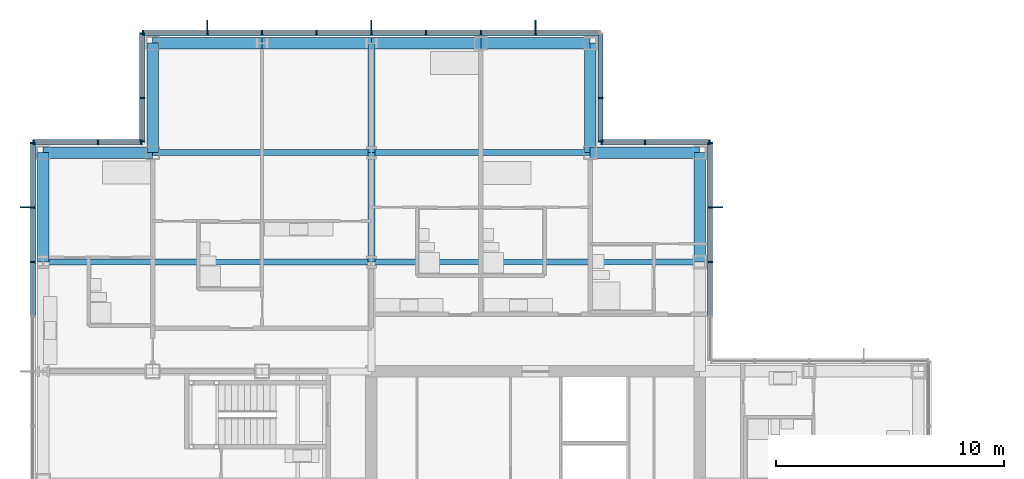
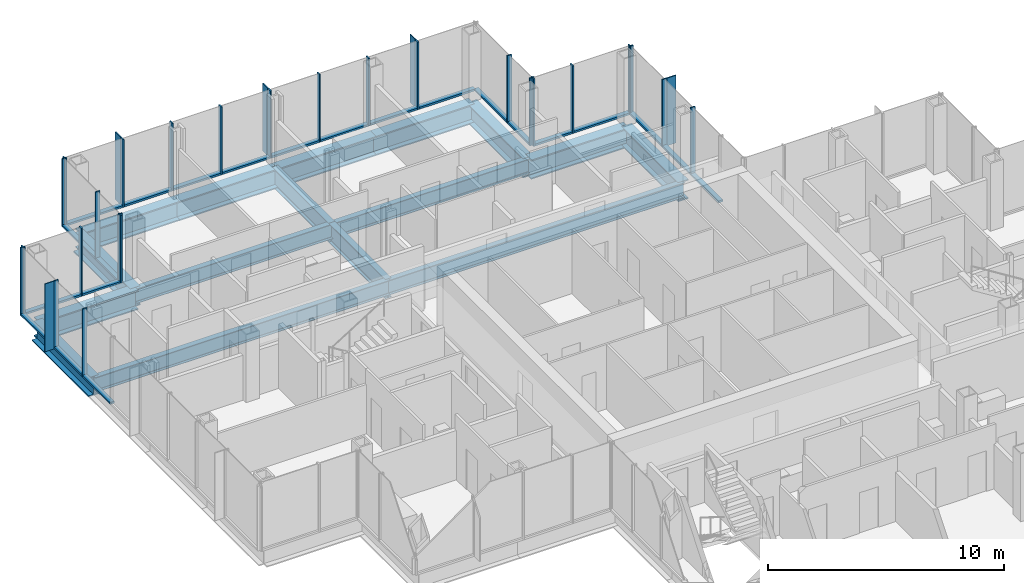
# One storey, part 10 of 20: 52 members, 16 beams, 7 elements without a shape of their own.
"""IFC4 building model written with IfcOpenShell, lengths in metres."""

from ifc_helpers import new_model, si_unit, direction, frame, origin, origin_2d, place, context, subcontext, project, spatial, rectangle, i_section, extrude, material, material_profile, profile_set, type_object, element, aggregate, save


model = new_model("IFC4")

# Units and contexts
model_context = context("Model", 3, precision=1e-05, world=origin(), true_north=direction((0.0, 1.0)))
body_context = subcontext(model_context, "Body", "Model", "MODEL_VIEW")
ifc_project = project(units=[si_unit("LENGTHUNIT", "METRE"), si_unit("AREAUNIT", "SQUARE_METRE"), si_unit("VOLUMEUNIT", "CUBIC_METRE"), si_unit("PLANEANGLEUNIT", "RADIAN"), si_unit("MASSUNIT", "GRAM", prefix="KILO")], contexts=[model_context])

# Site, building, storey
site_placement = place(None, origin())
site = spatial("IfcSite", under=ifc_project, at=site_placement, CompositionType="ELEMENT")
building_placement = place(site_placement, origin())
building = spatial("IfcBuilding", under=site, at=building_placement, Name="Kvirike Care Tower", CompositionType="ELEMENT")
storey_placement = place(building_placement, frame((0.0, 0.0, 101.5)))
storey = spatial("IfcBuildingStorey", under=building, at=storey_placement, Name="L27", CompositionType="ELEMENT", Elevation=101.5)

# Curtain wall, member
ifc_material_1 = material(Name="Anodised aluminium stick system", Category="aluminium")
curtain_wall_type = type_object("IfcCurtainWallType", Name="CW-B STICK CURTAIN WALL", PredefinedType="NOTDEFINED", material=ifc_material_1)
curtain_wall_1_placement = place(storey_placement, origin())
curtain_wall_1 = element("IfcCurtainWall", 1, at=curtain_wall_1_placement, inside=storey, type_object=curtain_wall_type, Name="Curtain wall L27 face 5", PredefinedType="NOTDEFINED")
ifc_material_2 = material(Name="Bronze anodised aluminium fin", Category="aluminium")
ifc_material_profile_1 = material_profile(ifc_material_2, rectangle(XDim=0.050048828125, YDim=0.449951171875, at=origin_2d()), Name="BRONZE FIN 450")
ifc_profile_set_1 = profile_set([ifc_material_profile_1], Name="Bronze anodised aluminium fin")
member_type_1 = type_object("IfcMemberType", Name="BRONZE FIN 450", PredefinedType="USERDEFINED", material=ifc_profile_set_1)
member_1_placement = place(storey_placement, frame((29.594970703125, 50.39990234375, 0.0), z_axis=(0.0, 0.0, 1.0), x_axis=(0.0, 1.0, 0.0)))
member_1 = element("IfcMember", 2, at=member_1_placement, type_object=member_type_1, Name="Bronze fin L27 face 5.4", ObjectType="FIN", PredefinedType="USERDEFINED", context=body_context, shape_type="SweptSolid", body=[
    extrude(rectangle(XDim=0.050048828125, YDim=0.449951171875, at=origin_2d()), origin(), (0.0, 0.0, 1.0), 3.5),
])

# Curtain wall, members
curtain_wall_2_placement = place(storey_placement, origin())
curtain_wall_2 = element("IfcCurtainWall", 3, at=curtain_wall_2_placement, inside=storey, type_object=curtain_wall_type, Name="Curtain wall L27 face 8", PredefinedType="NOTDEFINED")
member_2_placement = place(storey_placement, frame((21.60009765625, 58.39501953125, 0.0), z_axis=(0.0, 0.0, 1.0), x_axis=(-1.0, 0.0, 0.0)))
member_2 = element("IfcMember", 4, at=member_2_placement, type_object=member_type_1, Name="Bronze fin L27 face 8.2", ObjectType="FIN", PredefinedType="USERDEFINED", context=body_context, shape_type="SweptSolid", body=[
    extrude(rectangle(XDim=0.050048828125, YDim=0.449951171875, at=origin_2d()), origin(), (0.0, 0.0, 1.0), 3.5),
])
member_3_placement = place(storey_placement, frame((14.39990234375, 58.39501953125, 0.0), z_axis=(0.0, 0.0, 1.0), x_axis=(-1.0, 0.0, 0.0)))
member_3 = element("IfcMember", 5, at=member_3_placement, type_object=member_type_1, Name="Bronze fin L27 face 8.5", ObjectType="FIN", PredefinedType="USERDEFINED", context=body_context, shape_type="SweptSolid", body=[
    extrude(rectangle(XDim=0.050048828125, YDim=0.449951171875, at=origin_2d()), origin(), (0.0, 0.0, 1.0), 3.5),
])
member_4_placement = place(storey_placement, frame((7.199951171875, 58.39501953125, 0.0), z_axis=(0.0, 0.0, 1.0), x_axis=(-1.0, 0.0, 0.0)))
member_4 = element("IfcMember", 6, at=member_4_placement, type_object=member_type_1, Name="Bronze fin L27 face 8.8", ObjectType="FIN", PredefinedType="USERDEFINED", context=body_context, shape_type="SweptSolid", body=[
    extrude(rectangle(XDim=0.050048828125, YDim=0.449951171875, at=origin_2d()), origin(), (0.0, 0.0, 1.0), 3.5),
])

# Curtain wall, member
curtain_wall_3_placement = place(storey_placement, origin())
curtain_wall_3 = element("IfcCurtainWall", 7, at=curtain_wall_3_placement, inside=storey, type_object=curtain_wall_type, Name="Curtain wall L27 face 11", PredefinedType="NOTDEFINED")
member_5_placement = place(storey_placement, frame((-0.794921875, 50.39990234375, 0.0), z_axis=(0.0, 0.0, 1.0), x_axis=(0.0, -1.0, 0.0)))
member_5 = element("IfcMember", 8, at=member_5_placement, type_object=member_type_1, Name="Bronze fin L27 face 11.2", ObjectType="FIN", PredefinedType="USERDEFINED", context=body_context, shape_type="SweptSolid", body=[
    extrude(rectangle(XDim=0.050048828125, YDim=0.449951171875, at=origin_2d()), origin(), (0.0, 0.0, 1.0), 3.5),
])

# Member
ifc_material_3 = material(Name="Bronze anodised aluminium mullion", Category="aluminium")
ifc_material_profile_2 = material_profile(ifc_material_3, rectangle(XDim=0.06494140625, YDim=0.219970703125, at=origin_2d()), Name="CW-B MULLION 65x220")
ifc_profile_set_2 = profile_set([ifc_material_profile_2], Name="Bronze anodised aluminium mullion")
member_type_2 = type_object("IfcMemberType", Name="CW-B MULLION 65x220", PredefinedType="MULLION", material=ifc_profile_set_2)
member_6_placement = place(storey_placement, frame((29.260009765625, 48.0, 0.0), z_axis=(0.0, 0.0, 1.0), x_axis=(0.0, 1.0, 0.0)))
member_6 = element("IfcMember", 9, at=member_6_placement, type_object=member_type_2, Name="CW-B mullion L27 face 5.3", PredefinedType="MULLION", context=body_context, shape_type="SweptSolid", body=[
    extrude(rectangle(XDim=0.06494140625, YDim=0.219970703125, at=origin_2d()), origin(), (0.0, 0.0, 1.0), 3.5),
])

member_7_placement = place(storey_placement, frame((29.260009765625, 50.39990234375, 0.0), z_axis=(0.0, 0.0, 1.0), x_axis=(0.0, 1.0, 0.0)))
member_7 = element("IfcMember", 10, at=member_7_placement, type_object=member_type_2, Name="CW-B mullion L27 face 5.4", PredefinedType="MULLION", context=body_context, shape_type="SweptSolid", body=[
    extrude(rectangle(XDim=0.06494140625, YDim=0.219970703125, at=origin_2d()), origin(), (0.0, 0.0, 1.0), 3.5),
])

member_8_placement = place(storey_placement, frame((29.260009765625, 53.2275390625, 0.0), z_axis=(0.0, 0.0, 1.0), x_axis=(0.0, 1.0, 0.0)))
member_8 = element("IfcMember", 11, at=member_8_placement, type_object=member_type_2, Name="CW-B mullion L27 face 5.5", PredefinedType="MULLION", context=body_context, shape_type="SweptSolid", body=[
    extrude(rectangle(XDim=0.06494140625, YDim=0.219970703125, at=origin_2d()), origin(), (0.0, 0.0, 1.0), 3.5),
])

# Curtain wall, members
curtain_wall_4_placement = place(storey_placement, origin())
curtain_wall_4 = element("IfcCurtainWall", 12, at=curtain_wall_4_placement, inside=storey, type_object=curtain_wall_type, Name="Curtain wall L27 face 6", PredefinedType="NOTDEFINED")
member_9_placement = place(storey_placement, frame((29.2275390625, 53.260009765625, 0.0), z_axis=(0.0, 0.0, 1.0), x_axis=(-1.0, 0.0, 0.0)))
member_9 = element("IfcMember", 13, at=member_9_placement, type_object=member_type_2, Name="CW-B mullion L27 face 6.1", PredefinedType="MULLION", context=body_context, shape_type="SweptSolid", body=[
    extrude(rectangle(XDim=0.06494140625, YDim=0.219970703125, at=origin_2d()), origin(), (0.0, 0.0, 1.0), 3.5),
])
member_10_placement = place(storey_placement, frame((26.39990234375, 53.260009765625, 0.0), z_axis=(0.0, 0.0, 1.0), x_axis=(-1.0, 0.0, 0.0)))
member_10 = element("IfcMember", 14, at=member_10_placement, type_object=member_type_2, Name="CW-B mullion L27 face 6.2", PredefinedType="MULLION", context=body_context, shape_type="SweptSolid", body=[
    extrude(rectangle(XDim=0.06494140625, YDim=0.219970703125, at=origin_2d()), origin(), (0.0, 0.0, 1.0), 3.5),
])
member_11_placement = place(storey_placement, frame((24.492431640625, 53.260009765625, 0.0), z_axis=(0.0, 0.0, 1.0), x_axis=(-1.0, 0.0, 0.0)))
member_11 = element("IfcMember", 15, at=member_11_placement, type_object=member_type_2, Name="CW-B mullion L27 face 6.3", PredefinedType="MULLION", context=body_context, shape_type="SweptSolid", body=[
    extrude(rectangle(XDim=0.06494140625, YDim=0.219970703125, at=origin_2d()), origin(), (0.0, 0.0, 1.0), 3.5),
])

curtain_wall_5_placement = place(storey_placement, origin())
curtain_wall_5 = element("IfcCurtainWall", 16, at=curtain_wall_5_placement, inside=storey, type_object=curtain_wall_type, Name="Curtain wall L27 face 7", PredefinedType="NOTDEFINED")
member_12_placement = place(storey_placement, frame((24.4599609375, 53.29248046875, 0.0), z_axis=(0.0, 0.0, 1.0), x_axis=(0.0, 1.0, 0.0)))
member_12 = element("IfcMember", 17, at=member_12_placement, type_object=member_type_2, Name="CW-B mullion L27 face 7.1", PredefinedType="MULLION", context=body_context, shape_type="SweptSolid", body=[
    extrude(rectangle(XDim=0.06494140625, YDim=0.219970703125, at=origin_2d()), origin(), (0.0, 0.0, 1.0), 3.5),
])
member_13_placement = place(storey_placement, frame((24.4599609375, 55.199951171875, 0.0), z_axis=(0.0, 0.0, 1.0), x_axis=(0.0, 1.0, 0.0)))
member_13 = element("IfcMember", 18, at=member_13_placement, type_object=member_type_2, Name="CW-B mullion L27 face 7.2", PredefinedType="MULLION", context=body_context, shape_type="SweptSolid", body=[
    extrude(rectangle(XDim=0.06494140625, YDim=0.219970703125, at=origin_2d()), origin(), (0.0, 0.0, 1.0), 3.5),
])

# Member
member_14_placement = place(storey_placement, frame((21.60009765625, 58.06005859375, 0.0), z_axis=(0.0, 0.0, 1.0), x_axis=(-1.0, 0.0, 0.0)))
member_14 = element("IfcMember", 19, at=member_14_placement, type_object=member_type_2, Name="CW-B mullion L27 face 8.2", PredefinedType="MULLION", context=body_context, shape_type="SweptSolid", body=[
    extrude(rectangle(XDim=0.06494140625, YDim=0.219970703125, at=origin_2d()), origin(), (0.0, 0.0, 1.0), 3.5),
])

member_15_placement = place(storey_placement, frame((19.199951171875, 58.06005859375, 0.0), z_axis=(0.0, 0.0, 1.0), x_axis=(-1.0, 0.0, 0.0)))
member_15 = element("IfcMember", 20, at=member_15_placement, type_object=member_type_2, Name="CW-B mullion L27 face 8.3", PredefinedType="MULLION", context=body_context, shape_type="SweptSolid", body=[
    extrude(rectangle(XDim=0.06494140625, YDim=0.219970703125, at=origin_2d()), origin(), (0.0, 0.0, 1.0), 3.5),
])

member_16_placement = place(storey_placement, frame((16.800048828125, 58.06005859375, 0.0), z_axis=(0.0, 0.0, 1.0), x_axis=(-1.0, 0.0, 0.0)))
member_16 = element("IfcMember", 21, at=member_16_placement, type_object=member_type_2, Name="CW-B mullion L27 face 8.4", PredefinedType="MULLION", context=body_context, shape_type="SweptSolid", body=[
    extrude(rectangle(XDim=0.06494140625, YDim=0.219970703125, at=origin_2d()), origin(), (0.0, 0.0, 1.0), 3.5),
])

member_17_placement = place(storey_placement, frame((14.39990234375, 58.06005859375, 0.0), z_axis=(0.0, 0.0, 1.0), x_axis=(-1.0, 0.0, 0.0)))
member_17 = element("IfcMember", 22, at=member_17_placement, type_object=member_type_2, Name="CW-B mullion L27 face 8.5", PredefinedType="MULLION", context=body_context, shape_type="SweptSolid", body=[
    extrude(rectangle(XDim=0.06494140625, YDim=0.219970703125, at=origin_2d()), origin(), (0.0, 0.0, 1.0), 3.5),
])

member_18_placement = place(storey_placement, frame((12.0, 58.06005859375, 0.0), z_axis=(0.0, 0.0, 1.0), x_axis=(-1.0, 0.0, 0.0)))
member_18 = element("IfcMember", 23, at=member_18_placement, type_object=member_type_2, Name="CW-B mullion L27 face 8.6", PredefinedType="MULLION", context=body_context, shape_type="SweptSolid", body=[
    extrude(rectangle(XDim=0.06494140625, YDim=0.219970703125, at=origin_2d()), origin(), (0.0, 0.0, 1.0), 3.5),
])

member_19_placement = place(storey_placement, frame((9.60009765625, 58.06005859375, 0.0), z_axis=(0.0, 0.0, 1.0), x_axis=(-1.0, 0.0, 0.0)))
member_19 = element("IfcMember", 24, at=member_19_placement, type_object=member_type_2, Name="CW-B mullion L27 face 8.7", PredefinedType="MULLION", context=body_context, shape_type="SweptSolid", body=[
    extrude(rectangle(XDim=0.06494140625, YDim=0.219970703125, at=origin_2d()), origin(), (0.0, 0.0, 1.0), 3.5),
])

member_20_placement = place(storey_placement, frame((7.199951171875, 58.06005859375, 0.0), z_axis=(0.0, 0.0, 1.0), x_axis=(-1.0, 0.0, 0.0)))
member_20 = element("IfcMember", 25, at=member_20_placement, type_object=member_type_2, Name="CW-B mullion L27 face 8.8", PredefinedType="MULLION", context=body_context, shape_type="SweptSolid", body=[
    extrude(rectangle(XDim=0.06494140625, YDim=0.219970703125, at=origin_2d()), origin(), (0.0, 0.0, 1.0), 3.5),
])

member_21_placement = place(storey_placement, frame((4.37255859375, 58.06005859375, 0.0), z_axis=(0.0, 0.0, 1.0), x_axis=(-1.0, 0.0, 0.0)))
member_21 = element("IfcMember", 26, at=member_21_placement, type_object=member_type_2, Name="CW-B mullion L27 face 8.9", PredefinedType="MULLION", context=body_context, shape_type="SweptSolid", body=[
    extrude(rectangle(XDim=0.06494140625, YDim=0.219970703125, at=origin_2d()), origin(), (0.0, 0.0, 1.0), 3.5),
])

# Curtain wall, members
curtain_wall_6_placement = place(storey_placement, origin())
curtain_wall_6 = element("IfcCurtainWall", 27, at=curtain_wall_6_placement, inside=storey, type_object=curtain_wall_type, Name="Curtain wall L27 face 9", PredefinedType="NOTDEFINED")
member_22_placement = place(storey_placement, frame((4.340087890625, 58.027587890625, 0.0), z_axis=(0.0, 0.0, 1.0), x_axis=(0.0, -1.0, 0.0)))
member_22 = element("IfcMember", 28, at=member_22_placement, type_object=member_type_2, Name="CW-B mullion L27 face 9.1", PredefinedType="MULLION", context=body_context, shape_type="SweptSolid", body=[
    extrude(rectangle(XDim=0.06494140625, YDim=0.219970703125, at=origin_2d()), origin(), (0.0, 0.0, 1.0), 3.5),
])
member_23_placement = place(storey_placement, frame((4.340087890625, 55.199951171875, 0.0), z_axis=(0.0, 0.0, 1.0), x_axis=(0.0, -1.0, 0.0)))
member_23 = element("IfcMember", 29, at=member_23_placement, type_object=member_type_2, Name="CW-B mullion L27 face 9.2", PredefinedType="MULLION", context=body_context, shape_type="SweptSolid", body=[
    extrude(rectangle(XDim=0.06494140625, YDim=0.219970703125, at=origin_2d()), origin(), (0.0, 0.0, 1.0), 3.5),
])
member_24_placement = place(storey_placement, frame((4.340087890625, 53.29248046875, 0.0), z_axis=(0.0, 0.0, 1.0), x_axis=(0.0, -1.0, 0.0)))
member_24 = element("IfcMember", 30, at=member_24_placement, type_object=member_type_2, Name="CW-B mullion L27 face 9.3", PredefinedType="MULLION", context=body_context, shape_type="SweptSolid", body=[
    extrude(rectangle(XDim=0.06494140625, YDim=0.219970703125, at=origin_2d()), origin(), (0.0, 0.0, 1.0), 3.5),
])

curtain_wall_7_placement = place(storey_placement, origin())
curtain_wall_7 = element("IfcCurtainWall", 31, at=curtain_wall_7_placement, inside=storey, type_object=curtain_wall_type, Name="Curtain wall L27 face 10", PredefinedType="NOTDEFINED")
member_25_placement = place(storey_placement, frame((4.3076171875, 53.260009765625, 0.0), z_axis=(0.0, 0.0, 1.0), x_axis=(-1.0, 0.0, 0.0)))
member_25 = element("IfcMember", 32, at=member_25_placement, type_object=member_type_2, Name="CW-B mullion L27 face 10.1", PredefinedType="MULLION", context=body_context, shape_type="SweptSolid", body=[
    extrude(rectangle(XDim=0.06494140625, YDim=0.219970703125, at=origin_2d()), origin(), (0.0, 0.0, 1.0), 3.5),
])
member_26_placement = place(storey_placement, frame((2.39990234375, 53.260009765625, 0.0), z_axis=(0.0, 0.0, 1.0), x_axis=(-1.0, 0.0, 0.0)))
member_26 = element("IfcMember", 33, at=member_26_placement, type_object=member_type_2, Name="CW-B mullion L27 face 10.2", PredefinedType="MULLION", context=body_context, shape_type="SweptSolid", body=[
    extrude(rectangle(XDim=0.06494140625, YDim=0.219970703125, at=origin_2d()), origin(), (0.0, 0.0, 1.0), 3.5),
])
member_27_placement = place(storey_placement, frame((-0.427490234375, 53.260009765625, 0.0), z_axis=(0.0, 0.0, 1.0), x_axis=(-1.0, 0.0, 0.0)))
member_27 = element("IfcMember", 34, at=member_27_placement, type_object=member_type_2, Name="CW-B mullion L27 face 10.3", PredefinedType="MULLION", context=body_context, shape_type="SweptSolid", body=[
    extrude(rectangle(XDim=0.06494140625, YDim=0.219970703125, at=origin_2d()), origin(), (0.0, 0.0, 1.0), 3.5),
])

# Member
member_28_placement = place(storey_placement, frame((-0.4599609375, 53.2275390625, 0.0), z_axis=(0.0, 0.0, 1.0), x_axis=(0.0, -1.0, 0.0)))
member_28 = element("IfcMember", 35, at=member_28_placement, type_object=member_type_2, Name="CW-B mullion L27 face 11.1", PredefinedType="MULLION", context=body_context, shape_type="SweptSolid", body=[
    extrude(rectangle(XDim=0.06494140625, YDim=0.219970703125, at=origin_2d()), origin(), (0.0, 0.0, 1.0), 3.5),
])

member_29_placement = place(storey_placement, frame((-0.4599609375, 50.39990234375, 0.0), z_axis=(0.0, 0.0, 1.0), x_axis=(0.0, -1.0, 0.0)))
member_29 = element("IfcMember", 36, at=member_29_placement, type_object=member_type_2, Name="CW-B mullion L27 face 11.2", PredefinedType="MULLION", context=body_context, shape_type="SweptSolid", body=[
    extrude(rectangle(XDim=0.06494140625, YDim=0.219970703125, at=origin_2d()), origin(), (0.0, 0.0, 1.0), 3.5),
])

member_30_placement = place(storey_placement, frame((-0.4599609375, 48.0, 0.0), z_axis=(0.0, 0.0, 1.0), x_axis=(0.0, -1.0, 0.0)))
member_30 = element("IfcMember", 37, at=member_30_placement, type_object=member_type_2, Name="CW-B mullion L27 face 11.3", PredefinedType="MULLION", context=body_context, shape_type="SweptSolid", body=[
    extrude(rectangle(XDim=0.06494140625, YDim=0.219970703125, at=origin_2d()), origin(), (0.0, 0.0, 1.0), 3.5),
])

ifc_material_4 = material(Name="Bronze anodised aluminium transom", Category="aluminium")
ifc_material_profile_3 = material_profile(ifc_material_4, rectangle(XDim=0.219970703125, YDim=0.10009765625, at=origin_2d()), Name="CW-B TRANSOM 220x100")
ifc_profile_set_3 = profile_set([ifc_material_profile_3], Name="Bronze anodised aluminium transom")
member_type_3 = type_object("IfcMemberType", Name="CW-B TRANSOM 220x100", PredefinedType="USERDEFINED", material=ifc_profile_set_3)
member_31_placement = place(storey_placement, frame((29.260009765625, 45.632568359375, 0.050048828125), z_axis=(0.0, 1.0, 0.0), x_axis=(-1.0, 0.0, 0.0)))
member_31 = element("IfcMember", 38, at=member_31_placement, type_object=member_type_3, Name="CW-B sill transom L27 face 5.2", ObjectType="TRANSOM", PredefinedType="USERDEFINED", context=body_context, shape_type="SweptSolid", body=[
    extrude(rectangle(XDim=0.219970703125, YDim=0.10009765625, at=origin_2d()), origin(), (0.0, 0.0, 1.0), 2.3349609375),
])

member_32_placement = place(storey_placement, frame((29.260009765625, 48.032470703125, 0.050048828125), z_axis=(0.0, 1.0, 0.0), x_axis=(-1.0, 0.0, 0.0)))
member_32 = element("IfcMember", 39, at=member_32_placement, type_object=member_type_3, Name="CW-B sill transom L27 face 5.3", ObjectType="TRANSOM", PredefinedType="USERDEFINED", context=body_context, shape_type="SweptSolid", body=[
    extrude(rectangle(XDim=0.219970703125, YDim=0.10009765625, at=origin_2d()), origin(), (0.0, 0.0, 1.0), 2.3349609375),
])

member_33_placement = place(storey_placement, frame((29.260009765625, 50.4326171875, 0.050048828125), z_axis=(0.0, 1.0, 0.0), x_axis=(-1.0, 0.0, 0.0)))
member_33 = element("IfcMember", 40, at=member_33_placement, type_object=member_type_3, Name="CW-B sill transom L27 face 5.4", ObjectType="TRANSOM", PredefinedType="USERDEFINED", context=body_context, shape_type="SweptSolid", body=[
    extrude(rectangle(XDim=0.219970703125, YDim=0.10009765625, at=origin_2d()), origin(), (0.0, 0.0, 1.0), 2.762451171875),
])

aggregate(curtain_wall_1, [member_6, member_7, member_1, member_8, member_31, member_32, member_33])

member_34_placement = place(storey_placement, frame((29.195068359375, 53.260009765625, 0.050048828125), z_axis=(-1.0, 0.0, 0.0), x_axis=(0.0, -1.0, 0.0)))
member_34 = element("IfcMember", 41, at=member_34_placement, type_object=member_type_3, Name="CW-B sill transom L27 face 6.1", ObjectType="TRANSOM", PredefinedType="USERDEFINED", context=body_context, shape_type="SweptSolid", body=[
    extrude(rectangle(XDim=0.219970703125, YDim=0.10009765625, at=origin_2d()), origin(), (0.0, 0.0, 1.0), 2.762451171875),
])

member_35_placement = place(storey_placement, frame((26.367431640625, 53.260009765625, 0.050048828125), z_axis=(-1.0, 0.0, 0.0), x_axis=(0.0, -1.0, 0.0)))
member_35 = element("IfcMember", 42, at=member_35_placement, type_object=member_type_3, Name="CW-B sill transom L27 face 6.2", ObjectType="TRANSOM", PredefinedType="USERDEFINED", context=body_context, shape_type="SweptSolid", body=[
    extrude(rectangle(XDim=0.219970703125, YDim=0.10009765625, at=origin_2d()), origin(), (0.0, 0.0, 1.0), 1.842529296875),
])

aggregate(curtain_wall_4, [member_9, member_10, member_11, member_34, member_35])

member_36_placement = place(storey_placement, frame((24.4599609375, 53.324951171875, 0.050048828125), z_axis=(0.0, 1.0, 0.0), x_axis=(-1.0, 0.0, 0.0)))
member_36 = element("IfcMember", 43, at=member_36_placement, type_object=member_type_3, Name="CW-B sill transom L27 face 7.1", ObjectType="TRANSOM", PredefinedType="USERDEFINED", context=body_context, shape_type="SweptSolid", body=[
    extrude(rectangle(XDim=0.219970703125, YDim=0.10009765625, at=origin_2d()), origin(), (0.0, 0.0, 1.0), 1.842529296875),
])

member_37_placement = place(storey_placement, frame((24.4599609375, 55.232421875, 0.050048828125), z_axis=(0.0, 1.0, 0.0), x_axis=(-1.0, 0.0, 0.0)))
member_37 = element("IfcMember", 44, at=member_37_placement, type_object=member_type_3, Name="CW-B sill transom L27 face 7.2", ObjectType="TRANSOM", PredefinedType="USERDEFINED", context=body_context, shape_type="SweptSolid", body=[
    extrude(rectangle(XDim=0.219970703125, YDim=0.10009765625, at=origin_2d()), origin(), (0.0, 0.0, 1.0), 2.7626953125),
])

aggregate(curtain_wall_5, [member_12, member_13, member_36, member_37])

member_38_placement = place(storey_placement, frame((24.39501953125, 58.06005859375, 0.050048828125), z_axis=(-1.0, 0.0, 0.0), x_axis=(0.0, -1.0, 0.0)))
member_38 = element("IfcMember", 45, at=member_38_placement, type_object=member_type_3, Name="CW-B sill transom L27 face 8.1", ObjectType="TRANSOM", PredefinedType="USERDEFINED", context=body_context, shape_type="SweptSolid", body=[
    extrude(rectangle(XDim=0.219970703125, YDim=0.10009765625, at=origin_2d()), origin(), (0.0, 0.0, 1.0), 2.762451171875),
])

member_39_placement = place(storey_placement, frame((21.5673828125, 58.06005859375, 0.050048828125), z_axis=(-1.0, 0.0, 0.0), x_axis=(0.0, -1.0, 0.0)))
member_39 = element("IfcMember", 46, at=member_39_placement, type_object=member_type_3, Name="CW-B sill transom L27 face 8.2", ObjectType="TRANSOM", PredefinedType="USERDEFINED", context=body_context, shape_type="SweptSolid", body=[
    extrude(rectangle(XDim=0.219970703125, YDim=0.10009765625, at=origin_2d()), origin(), (0.0, 0.0, 1.0), 2.3349609375),
])

member_40_placement = place(storey_placement, frame((19.16748046875, 58.06005859375, 0.050048828125), z_axis=(-1.0, 0.0, 0.0), x_axis=(0.0, -1.0, 0.0)))
member_40 = element("IfcMember", 47, at=member_40_placement, type_object=member_type_3, Name="CW-B sill transom L27 face 8.3", ObjectType="TRANSOM", PredefinedType="USERDEFINED", context=body_context, shape_type="SweptSolid", body=[
    extrude(rectangle(XDim=0.219970703125, YDim=0.10009765625, at=origin_2d()), origin(), (0.0, 0.0, 1.0), 2.3349609375),
])

member_41_placement = place(storey_placement, frame((16.767578125, 58.06005859375, 0.050048828125), z_axis=(-1.0, 0.0, 0.0), x_axis=(0.0, -1.0, 0.0)))
member_41 = element("IfcMember", 48, at=member_41_placement, type_object=member_type_3, Name="CW-B sill transom L27 face 8.4", ObjectType="TRANSOM", PredefinedType="USERDEFINED", context=body_context, shape_type="SweptSolid", body=[
    extrude(rectangle(XDim=0.219970703125, YDim=0.10009765625, at=origin_2d()), origin(), (0.0, 0.0, 1.0), 2.3349609375),
])

member_42_placement = place(storey_placement, frame((14.367431640625, 58.06005859375, 0.050048828125), z_axis=(-1.0, 0.0, 0.0), x_axis=(0.0, -1.0, 0.0)))
member_42 = element("IfcMember", 49, at=member_42_placement, type_object=member_type_3, Name="CW-B sill transom L27 face 8.5", ObjectType="TRANSOM", PredefinedType="USERDEFINED", context=body_context, shape_type="SweptSolid", body=[
    extrude(rectangle(XDim=0.219970703125, YDim=0.10009765625, at=origin_2d()), origin(), (0.0, 0.0, 1.0), 2.3349609375),
])

member_43_placement = place(storey_placement, frame((11.967529296875, 58.06005859375, 0.050048828125), z_axis=(-1.0, 0.0, 0.0), x_axis=(0.0, -1.0, 0.0)))
member_43 = element("IfcMember", 50, at=member_43_placement, type_object=member_type_3, Name="CW-B sill transom L27 face 8.6", ObjectType="TRANSOM", PredefinedType="USERDEFINED", context=body_context, shape_type="SweptSolid", body=[
    extrude(rectangle(XDim=0.219970703125, YDim=0.10009765625, at=origin_2d()), origin(), (0.0, 0.0, 1.0), 2.3349609375),
])

member_44_placement = place(storey_placement, frame((9.5673828125, 58.06005859375, 0.050048828125), z_axis=(-1.0, 0.0, 0.0), x_axis=(0.0, -1.0, 0.0)))
member_44 = element("IfcMember", 51, at=member_44_placement, type_object=member_type_3, Name="CW-B sill transom L27 face 8.7", ObjectType="TRANSOM", PredefinedType="USERDEFINED", context=body_context, shape_type="SweptSolid", body=[
    extrude(rectangle(XDim=0.219970703125, YDim=0.10009765625, at=origin_2d()), origin(), (0.0, 0.0, 1.0), 2.3349609375),
])

member_45_placement = place(storey_placement, frame((7.16748046875, 58.06005859375, 0.050048828125), z_axis=(-1.0, 0.0, 0.0), x_axis=(0.0, -1.0, 0.0)))
member_45 = element("IfcMember", 52, at=member_45_placement, type_object=member_type_3, Name="CW-B sill transom L27 face 8.8", ObjectType="TRANSOM", PredefinedType="USERDEFINED", context=body_context, shape_type="SweptSolid", body=[
    extrude(rectangle(XDim=0.219970703125, YDim=0.10009765625, at=origin_2d()), origin(), (0.0, 0.0, 1.0), 2.762451171875),
])

aggregate(curtain_wall_2, [member_14, member_2, member_15, member_16, member_17, member_3, member_18, member_19, member_20, member_4, member_21, member_38, member_39, member_40, member_41, member_42, member_43, member_44, member_45])

member_46_placement = place(storey_placement, frame((4.340087890625, 57.9951171875, 0.050048828125), z_axis=(0.0, -1.0, 0.0), x_axis=(1.0, 0.0, 0.0)))
member_46 = element("IfcMember", 53, at=member_46_placement, type_object=member_type_3, Name="CW-B sill transom L27 face 9.1", ObjectType="TRANSOM", PredefinedType="USERDEFINED", context=body_context, shape_type="SweptSolid", body=[
    extrude(rectangle(XDim=0.219970703125, YDim=0.10009765625, at=origin_2d()), origin(), (0.0, 0.0, 1.0), 2.7626953125),
])

member_47_placement = place(storey_placement, frame((4.340087890625, 55.16748046875, 0.050048828125), z_axis=(0.0, -1.0, 0.0), x_axis=(1.0, 0.0, 0.0)))
member_47 = element("IfcMember", 54, at=member_47_placement, type_object=member_type_3, Name="CW-B sill transom L27 face 9.2", ObjectType="TRANSOM", PredefinedType="USERDEFINED", context=body_context, shape_type="SweptSolid", body=[
    extrude(rectangle(XDim=0.219970703125, YDim=0.10009765625, at=origin_2d()), origin(), (0.0, 0.0, 1.0), 1.842529296875),
])

aggregate(curtain_wall_6, [member_22, member_23, member_24, member_46, member_47])

member_48_placement = place(storey_placement, frame((4.27490234375, 53.260009765625, 0.050048828125), z_axis=(-1.0, 0.0, 0.0), x_axis=(0.0, -1.0, 0.0)))
member_48 = element("IfcMember", 55, at=member_48_placement, type_object=member_type_3, Name="CW-B sill transom L27 face 10.1", ObjectType="TRANSOM", PredefinedType="USERDEFINED", context=body_context, shape_type="SweptSolid", body=[
    extrude(rectangle(XDim=0.219970703125, YDim=0.10009765625, at=origin_2d()), origin(), (0.0, 0.0, 1.0), 1.84228515625),
])

member_49_placement = place(storey_placement, frame((2.367431640625, 53.260009765625, 0.050048828125), z_axis=(-1.0, 0.0, 0.0), x_axis=(0.0, -1.0, 0.0)))
member_49 = element("IfcMember", 56, at=member_49_placement, type_object=member_type_3, Name="CW-B sill transom L27 face 10.2", ObjectType="TRANSOM", PredefinedType="USERDEFINED", context=body_context, shape_type="SweptSolid", body=[
    extrude(rectangle(XDim=0.219970703125, YDim=0.10009765625, at=origin_2d()), origin(), (0.0, 0.0, 1.0), 2.762451171875),
])

aggregate(curtain_wall_7, [member_25, member_26, member_27, member_48, member_49])

member_50_placement = place(storey_placement, frame((-0.4599609375, 53.195068359375, 0.050048828125), z_axis=(0.0, -1.0, 0.0), x_axis=(1.0, 0.0, 0.0)))
member_50 = element("IfcMember", 57, at=member_50_placement, type_object=member_type_3, Name="CW-B sill transom L27 face 11.1", ObjectType="TRANSOM", PredefinedType="USERDEFINED", context=body_context, shape_type="SweptSolid", body=[
    extrude(rectangle(XDim=0.219970703125, YDim=0.10009765625, at=origin_2d()), origin(), (0.0, 0.0, 1.0), 2.762451171875),
])

member_51_placement = place(storey_placement, frame((-0.4599609375, 50.367431640625, 0.050048828125), z_axis=(0.0, -1.0, 0.0), x_axis=(1.0, 0.0, 0.0)))
member_51 = element("IfcMember", 58, at=member_51_placement, type_object=member_type_3, Name="CW-B sill transom L27 face 11.2", ObjectType="TRANSOM", PredefinedType="USERDEFINED", context=body_context, shape_type="SweptSolid", body=[
    extrude(rectangle(XDim=0.219970703125, YDim=0.10009765625, at=origin_2d()), origin(), (0.0, 0.0, 1.0), 2.3349609375),
])

member_52_placement = place(storey_placement, frame((-0.4599609375, 47.967529296875, 0.050048828125), z_axis=(0.0, -1.0, 0.0), x_axis=(1.0, 0.0, 0.0)))
member_52 = element("IfcMember", 59, at=member_52_placement, type_object=member_type_3, Name="CW-B sill transom L27 face 11.3", ObjectType="TRANSOM", PredefinedType="USERDEFINED", context=body_context, shape_type="SweptSolid", body=[
    extrude(rectangle(XDim=0.219970703125, YDim=0.10009765625, at=origin_2d()), origin(), (0.0, 0.0, 1.0), 2.3349609375),
])

aggregate(curtain_wall_3, [member_28, member_29, member_5, member_30, member_50, member_51, member_52])

# Beams
ifc_material_5 = material(Name="Steel S355", Category="steel")
ifc_material_profile_4 = material_profile(ifc_material_5, i_section(OverallWidth=0.26806640625, OverallDepth=0.77001953125, WebThickness=0.015625, FlangeThickness=0.025390625, FilletRadius=0.01708984375, at=origin_2d()), Name="IPE 750x196")
ifc_profile_set_4 = profile_set([ifc_material_profile_4], Name="Steel S355")
beam_type_1 = type_object("IfcBeamType", Name="FLOOR BEAM IPE 750x196", PredefinedType="BEAM", material=ifc_profile_set_4)
beam_1_placement = place(storey_placement, frame((0.0, 48.0, -0.554931640625), z_axis=(1.0, 0.0, 0.0), x_axis=(0.0, 1.0, 0.0)))
element("IfcBeam", 60, at=beam_1_placement, inside=storey, type_object=beam_type_1, Name="Floor Beam L3-L6 L27", PredefinedType="BEAM", context=body_context, shape_type="SweptSolid", body=[
    extrude(i_section(OverallWidth=0.26806640625, OverallDepth=0.77001953125, WebThickness=0.015625, FlangeThickness=0.025390625, FilletRadius=0.01708984375, at=origin_2d()), origin(), (0.0, 0.0, 1.0), 14.39990234375),
])
beam_2_placement = place(storey_placement, frame((14.39990234375, 48.0, -0.554931640625), z_axis=(1.0, 0.0, 0.0), x_axis=(0.0, 1.0, 0.0)))
element("IfcBeam", 61, at=beam_2_placement, inside=storey, type_object=beam_type_1, Name="Floor Beam L6-L9 L27", PredefinedType="BEAM", context=body_context, shape_type="SweptSolid", body=[
    extrude(i_section(OverallWidth=0.26806640625, OverallDepth=0.77001953125, WebThickness=0.015625, FlangeThickness=0.025390625, FilletRadius=0.01708984375, at=origin_2d()), origin(), (0.0, 0.0, 1.0), 14.400146484375),
])
beam_3_placement = place(storey_placement, frame((4.800048828125, 52.800048828125, -0.554931640625), z_axis=(1.0, 0.0, 0.0), x_axis=(0.0, 1.0, 0.0)))
element("IfcBeam", 62, at=beam_3_placement, inside=storey, type_object=beam_type_1, Name="Floor Beam M4-M6 L27", PredefinedType="BEAM", context=body_context, shape_type="SweptSolid", body=[
    extrude(i_section(OverallWidth=0.26806640625, OverallDepth=0.77001953125, WebThickness=0.015625, FlangeThickness=0.025390625, FilletRadius=0.01708984375, at=origin_2d()), origin(), (0.0, 0.0, 1.0), 9.599853515625),
])
beam_4_placement = place(storey_placement, frame((14.39990234375, 52.800048828125, -0.554931640625), z_axis=(1.0, 0.0, 0.0), x_axis=(0.0, 1.0, 0.0)))
element("IfcBeam", 63, at=beam_4_placement, inside=storey, type_object=beam_type_1, Name="Floor Beam M6-M8 L27", PredefinedType="BEAM", context=body_context, shape_type="SweptSolid", body=[
    extrude(i_section(OverallWidth=0.26806640625, OverallDepth=0.77001953125, WebThickness=0.015625, FlangeThickness=0.025390625, FilletRadius=0.01708984375, at=origin_2d()), origin(), (0.0, 0.0, 1.0), 9.60009765625),
])
ifc_material_6 = material(Name="Steel S355", Category="steel")
ifc_material_profile_5 = material_profile(ifc_material_6, i_section(OverallWidth=0.300048828125, OverallDepth=1.0, WebThickness=0.01904296875, FlangeThickness=0.035888671875, FilletRadius=0.030029296875, at=origin_2d()), Name="HE 1000 B")
ifc_profile_set_5 = profile_set([ifc_material_profile_5], Name="Steel S355")
beam_type_2 = type_object("IfcBeamType", Name="FRAME BEAM HE 1000 B", PredefinedType="BEAM", material=ifc_profile_set_5)
for number, where, z_axis, x_axis, name in (
    (64, (14.39990234375, 48.0, -0.669921875), (0.0, 1.0, 0.0), (-1.0, 0.0, 0.0), "Frame Beam L6-M6 L27"),
    (65, (14.39990234375, 52.800048828125, -0.669921875), (0.0, 1.0, 0.0), (-1.0, 0.0, 0.0), "Frame Beam M6-N6 L27"),
):
    element("IfcBeam", number, at=place(storey_placement, frame(where, z_axis=z_axis, x_axis=x_axis)), inside=storey, type_object=beam_type_2, Name=name, PredefinedType="BEAM", context=body_context, shape_type="SweptSolid", body=[
        extrude(i_section(OverallWidth=0.300048828125, OverallDepth=1.0, WebThickness=0.01904296875, FlangeThickness=0.035888671875, FilletRadius=0.030029296875, at=origin_2d()), origin(), (0.0, 0.0, 1.0), 4.800048828125),
    ])
ifc_material_7 = material(Name="Steel S355", Category="steel")
ifc_material_profile_6 = material_profile(ifc_material_7, i_section(OverallWidth=0.5, OverallDepth=1.0, WebThickness=0.030029296875, FlangeThickness=0.06005859375, at=origin_2d()), Name="PG 1000x500x30x60")
ifc_profile_set_6 = profile_set([ifc_material_profile_6], Name="Steel S355")
beam_type_3 = type_object("IfcBeamType", Name="SPANDREL PG 1000x500x30x60", PredefinedType="SPANDREL", material=ifc_profile_set_6)
for number, where, z_axis, x_axis, name in (
    (66, (0.0, 52.800048828125, -0.669921875), (1.0, 0.0, 0.0), (0.0, 1.0, 0.0), "Spandrel M3-M4 L27"),
    (67, (24.0, 52.800048828125, -0.669921875), (1.0, 0.0, 0.0), (0.0, 1.0, 0.0), "Spandrel M8-M9 L27"),
    (68, (4.800048828125, 57.60009765625, -0.669921875), (1.0, 0.0, 0.0), (0.0, 1.0, 0.0), "Spandrel N4-N5 L27"),
):
    element("IfcBeam", number, at=place(storey_placement, frame(where, z_axis=z_axis, x_axis=x_axis)), inside=storey, type_object=beam_type_3, Name=name, PredefinedType="SPANDREL", context=body_context, shape_type="SweptSolid", body=[
        extrude(i_section(OverallWidth=0.5, OverallDepth=1.0, WebThickness=0.030029296875, FlangeThickness=0.06005859375, at=origin_2d()), origin(), (0.0, 0.0, 1.0), 4.800048828125),
    ])
beam_5_placement = place(storey_placement, frame((9.60009765625, 57.60009765625, -0.669921875), z_axis=(1.0, 0.0, 0.0), x_axis=(0.0, 1.0, 0.0)))
element("IfcBeam", 69, at=beam_5_placement, inside=storey, type_object=beam_type_3, Name="Spandrel N5-N6 L27", PredefinedType="SPANDREL", context=body_context, shape_type="SweptSolid", body=[
    extrude(i_section(OverallWidth=0.5, OverallDepth=1.0, WebThickness=0.030029296875, FlangeThickness=0.06005859375, at=origin_2d()), origin(), (0.0, 0.0, 1.0), 4.7998046875),
])
for number, where, z_axis, x_axis, name in (
    (70, (14.39990234375, 57.60009765625, -0.669921875), (1.0, 0.0, 0.0), (0.0, 1.0, 0.0), "Spandrel N6-N7 L27"),
    (71, (19.199951171875, 57.60009765625, -0.669921875), (1.0, 0.0, 0.0), (0.0, 1.0, 0.0), "Spandrel N7-N8 L27"),
    (72, (0.0, 48.0, -0.669921875), (0.0, 1.0, 0.0), (-1.0, 0.0, 0.0), "Spandrel L3-M3 L27"),
    (73, (4.800048828125, 52.800048828125, -0.669921875), (0.0, 1.0, 0.0), (-1.0, 0.0, 0.0), "Spandrel M4-N4 L27"),
    (74, (24.0, 52.800048828125, -0.669921875), (0.0, 1.0, 0.0), (-1.0, 0.0, 0.0), "Spandrel M8-N8 L27"),
    (75, (28.800048828125, 48.0, -0.669921875), (0.0, 1.0, 0.0), (-1.0, 0.0, 0.0), "Spandrel L9-M9 L27"),
):
    element("IfcBeam", number, at=place(storey_placement, frame(where, z_axis=z_axis, x_axis=x_axis)), inside=storey, type_object=beam_type_3, Name=name, PredefinedType="SPANDREL", context=body_context, shape_type="SweptSolid", body=[
        extrude(i_section(OverallWidth=0.5, OverallDepth=1.0, WebThickness=0.030029296875, FlangeThickness=0.06005859375, at=origin_2d()), origin(), (0.0, 0.0, 1.0), 4.800048828125),
    ])

save(model, "model.ifc")
